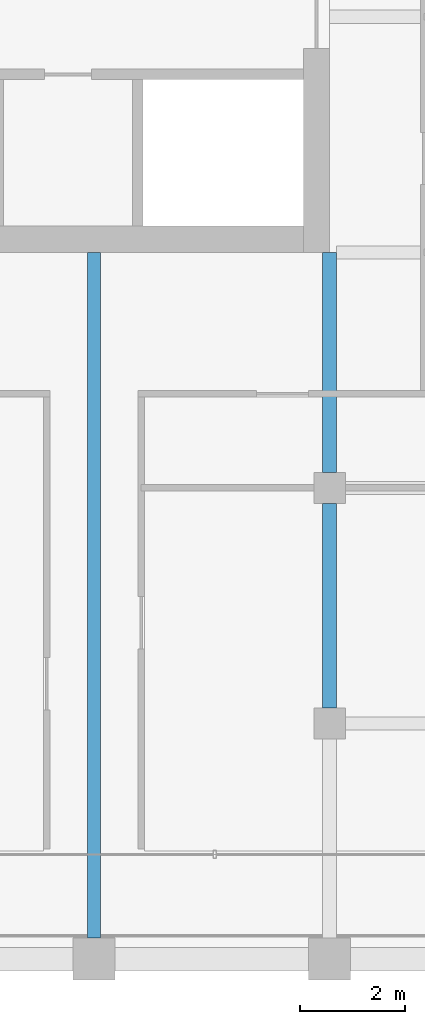
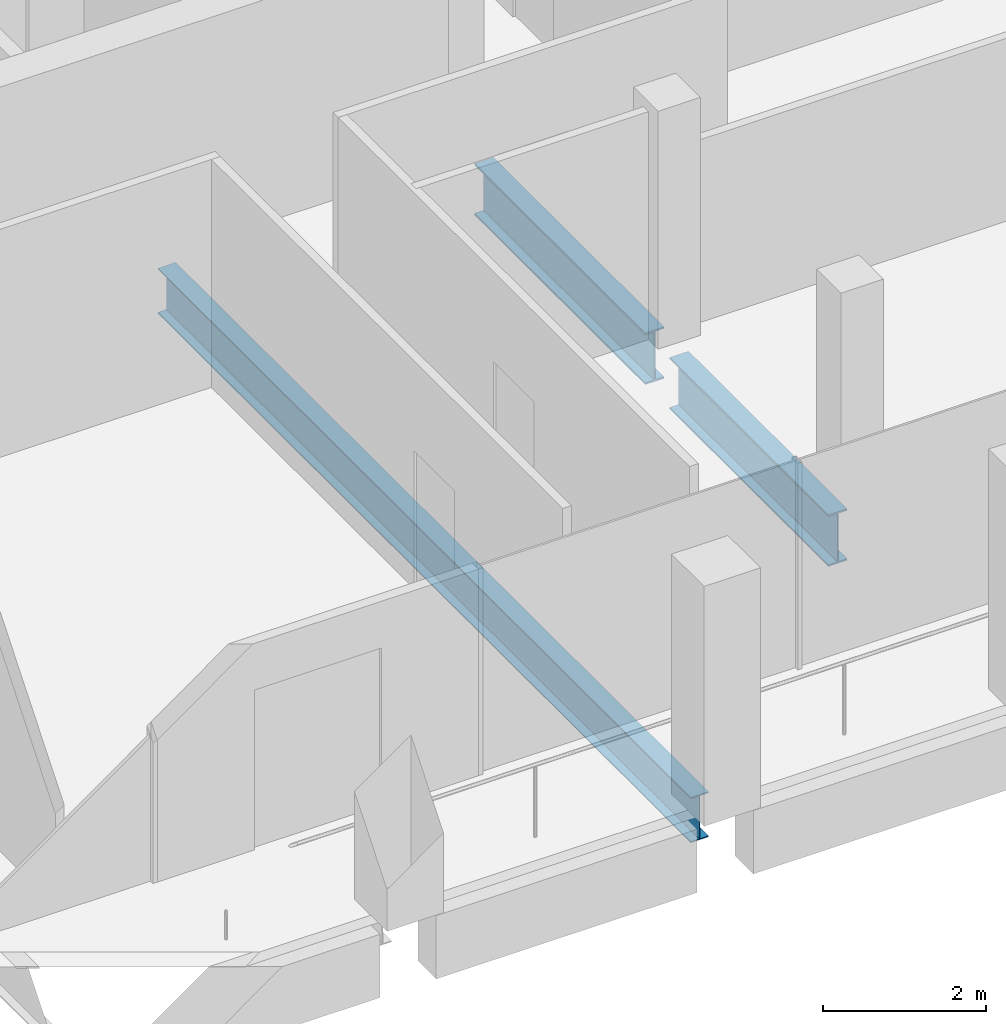
# One storey, part 10 of 30: 3 beams.
"""IFC4 building model written with IfcOpenShell, lengths in metres."""

from ifc_helpers import new_model, si_unit, direction, frame, origin, origin_2d, place, context, subcontext, project, spatial, i_section, extrude, material, material_profile, profile_set, type_object, element, save


model = new_model("IFC4")

# Units and contexts
model_context = context("Model", 3, precision=1e-05, world=origin(), true_north=direction((0.0, 1.0)))
body_context = subcontext(model_context, "Body", "Model", "MODEL_VIEW")
ifc_project = project(units=[si_unit("LENGTHUNIT", "METRE"), si_unit("AREAUNIT", "SQUARE_METRE"), si_unit("VOLUMEUNIT", "CUBIC_METRE"), si_unit("PLANEANGLEUNIT", "RADIAN"), si_unit("MASSUNIT", "GRAM", prefix="KILO")], contexts=[model_context])

# Site, building, storey
site_placement = place(None, origin())
site = spatial("IfcSite", under=ifc_project, at=site_placement, CompositionType="ELEMENT")
building_placement = place(site_placement, origin())
building = spatial("IfcBuilding", under=site, at=building_placement, Name="Altepetl Exchange Towers", CompositionType="ELEMENT")
storey_placement = place(building_placement, frame((0.0, 0.0, 213.60009765625)))
storey = spatial("IfcBuildingStorey", under=building, at=storey_placement, Name="L54", CompositionType="ELEMENT", Elevation=213.60009765625)

# Beams
ifc_material = material(Name="Steel S355", Category="steel")
ifc_material_profile_1 = material_profile(ifc_material, i_section(OverallWidth=0.2529296875, OverallDepth=0.677978515625, WebThickness=0.01171875, FlangeThickness=0.016357421875, at=origin_2d()), Name="W27X84")
ifc_profile_set_1 = profile_set([ifc_material_profile_1], Name="Steel S355")
beam_type_1 = type_object("IfcBeamType", Name="Floor beam W27X84", PredefinedType="BEAM", material=ifc_profile_set_1)
beam_1_placement = place(storey_placement, frame((54.0, 27.39990234375, -0.489013671875), z_axis=(0.0, 1.0, 0.0), x_axis=(-1.0, 0.0, 0.0)))
element("IfcBeam", 1, at=beam_1_placement, inside=storey, type_object=beam_type_1, Name="bm:A:L54:017", PredefinedType="BEAM", context=body_context, shape_type="SweptSolid", body=[
    extrude(i_section(OverallWidth=0.2529296875, OverallDepth=0.677978515625, WebThickness=0.01171875, FlangeThickness=0.016357421875, at=origin_2d()), origin(), (0.0, 0.0, 1.0), 13.10009765625),
])
ifc_material_profile_2 = material_profile(ifc_material, i_section(OverallWidth=0.26806640625, OverallDepth=0.77392578125, WebThickness=0.015380859375, FlangeThickness=0.025390625, at=origin_2d()), Name="W30X132")
ifc_profile_set_2 = profile_set([ifc_material_profile_2], Name="Steel S355")
beam_type_2 = type_object("IfcBeamType", Name="Girder W30X132", PredefinedType="BEAM", material=ifc_profile_set_2)
beam_2_placement = place(storey_placement, frame((58.5, 40.5, -0.537109375), z_axis=(0.0, -1.0, 0.0), x_axis=(1.0, 0.0, 0.0)))
element("IfcBeam", 2, at=beam_2_placement, inside=storey, type_object=beam_type_2, Name="gd:A:L54:003", PredefinedType="BEAM", context=body_context, shape_type="SweptSolid", body=[
    extrude(i_section(OverallWidth=0.26806640625, OverallDepth=0.77392578125, WebThickness=0.015380859375, FlangeThickness=0.025390625, at=origin_2d()), origin(), (0.0, 0.0, 1.0), 4.199951171875),
])
beam_3_placement = place(storey_placement, frame((58.5, 35.699951171875, -0.537109375), z_axis=(0.0, -1.0, 0.0), x_axis=(1.0, 0.0, 0.0)))
element("IfcBeam", 3, at=beam_3_placement, inside=storey, type_object=beam_type_2, Name="gd:A:L54:004", PredefinedType="BEAM", context=body_context, shape_type="SweptSolid", body=[
    extrude(i_section(OverallWidth=0.26806640625, OverallDepth=0.77392578125, WebThickness=0.015380859375, FlangeThickness=0.025390625, at=origin_2d()), origin(), (0.0, 0.0, 1.0), 3.89990234375),
])

save(model, "model.ifc")
